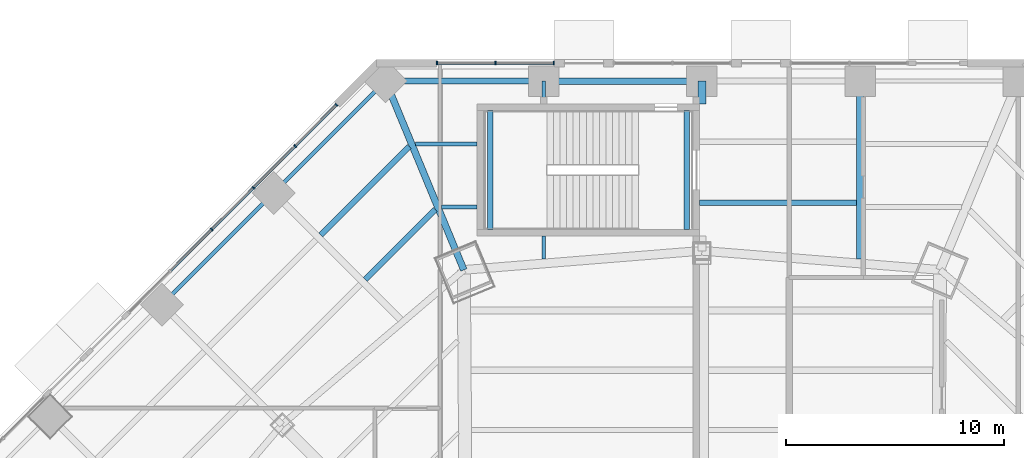
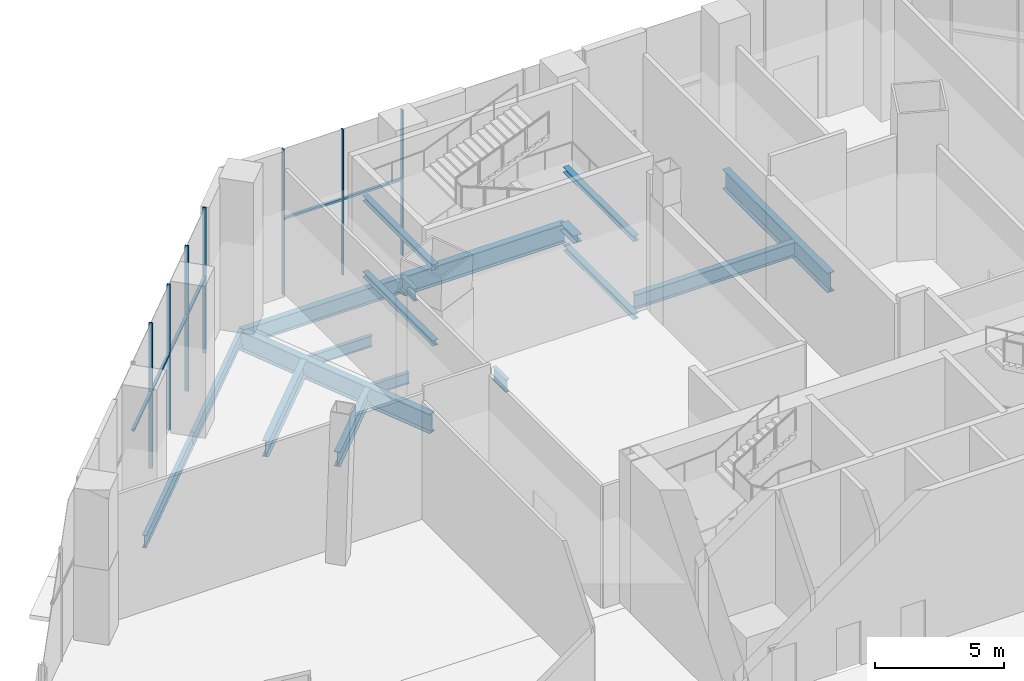
# One storey, part 14 of 35: 16 beams, 15 members, 2 elements without a shape of their own.
"""IFC4 building model written with IfcOpenShell, lengths in metres."""

from ifc_helpers import new_model, si_unit, direction, frame, origin, origin_2d, place, context, subcontext, project, spatial, rectangle, i_section, extrude, source, transform, mapped, material, material_profile, profile_set, type_object, type_shapes, element, aggregate, save


model = new_model("IFC4")

# Units and contexts
model_context = context("Model", 3, precision=1e-05, world=origin(), true_north=direction((0.0, 1.0)))
body_context = subcontext(model_context, "Body", "Model", "MODEL_VIEW")
ifc_project = project(units=[si_unit("LENGTHUNIT", "METRE"), si_unit("AREAUNIT", "SQUARE_METRE"), si_unit("VOLUMEUNIT", "CUBIC_METRE"), si_unit("PLANEANGLEUNIT", "RADIAN"), si_unit("MASSUNIT", "GRAM", prefix="KILO")], contexts=[model_context])

# Site, building, storey
site_placement = place(None, origin())
site = spatial("IfcSite", under=ifc_project, at=site_placement, CompositionType="ELEMENT")
building_placement = place(site_placement, origin())
building = spatial("IfcBuilding", under=site, at=building_placement, Name="Mashrafa Tower", CompositionType="ELEMENT")
storey_placement = place(building_placement, origin())
storey = spatial("IfcBuildingStorey", under=building, at=storey_placement, Name="L00", CompositionType="ELEMENT", Elevation=0.0)

# Beams
ifc_material_1 = material(Name="Steel ASTM A992", Category="steel")
ifc_material_profile_1 = material_profile(ifc_material_1, i_section(OverallWidth=0.1650390625, OverallDepth=0.52587890625, WebThickness=0.0087890625, FlangeThickness=0.011474609375, FilletRadius=0.0126953125, at=origin_2d()), Name="W21X44")
ifc_profile_set_1 = profile_set([ifc_material_profile_1], Name="Steel ASTM A992")
beam_type_1 = type_object("IfcBeamType", Name="Beam W21X44", PredefinedType="BEAM", material=ifc_profile_set_1)
beam_1_placement = place(storey_placement, frame((-13.13623046875, 32.114990234375, -0.56298828125), z_axis=(1.0, 0.0, 0.0), x_axis=(0.0, 1.0, 0.0)))
element("IfcBeam", 1, at=beam_1_placement, inside=storey, type_object=beam_type_1, Name="Floor beam L00 031", PredefinedType="BEAM", context=body_context, shape_type="SweptSolid", body=[
    extrude(i_section(OverallWidth=0.1650390625, OverallDepth=0.52587890625, WebThickness=0.0087890625, FlangeThickness=0.011474609375, FilletRadius=0.0126953125, at=origin_2d()), origin(), (0.0, 0.0, 1.0), 2.836181640625),
])
beam_2_placement = place(storey_placement, frame((-11.941162109375, 29.22998046875, -0.56298828125), z_axis=(1.0, 0.0, 0.0), x_axis=(0.0, 1.0, 0.0)))
element("IfcBeam", 2, at=beam_2_placement, inside=storey, type_object=beam_type_1, Name="Floor beam L00 035", PredefinedType="BEAM", context=body_context, shape_type="SweptSolid", body=[
    extrude(i_section(OverallWidth=0.1650390625, OverallDepth=0.52587890625, WebThickness=0.0087890625, FlangeThickness=0.011474609375, FilletRadius=0.0126953125, at=origin_2d()), origin(), (0.0, 0.0, 1.0), 1.64111328125),
])
ifc_material_2 = material(Name="Steel ASTM A992", Category="steel")
ifc_material_profile_2 = material_profile(ifc_material_2, i_section(OverallWidth=0.177978515625, OverallDepth=0.599365234375, WebThickness=0.010009765625, FlangeThickness=0.012939453125, FilletRadius=0.012939453125, at=origin_2d()), Name="W24X55")
ifc_profile_set_2 = profile_set([ifc_material_profile_2], Name="Steel ASTM A992")
beam_type_2 = type_object("IfcBeamType", Name="Beam W24X55", PredefinedType="BEAM", material=ifc_profile_set_2)
beam_3_placement = place(storey_placement, frame((-19.623046875, 29.87451171875, -0.599609375), z_axis=(-0.707106781187, -0.707106781187, 0.0), x_axis=(0.707106781187, -0.707106781187, 0.0)))
element("IfcBeam", 3, at=beam_3_placement, inside=storey, type_object=beam_type_2, Name="Podium edge beam L00 118", PredefinedType="BEAM", context=body_context, shape_type="SweptSolid", body=[
    extrude(i_section(OverallWidth=0.177978515625, OverallDepth=0.599365234375, WebThickness=0.010009765625, FlangeThickness=0.012939453125, FilletRadius=0.012939453125, at=origin_2d()), origin(), (0.0, 0.0, 1.0), 7.248779296875),
])
beam_4_placement = place(storey_placement, frame((-14.49755859375, 35.0, -0.599609375), z_axis=(-0.707106781187, -0.707106781187, 0.0), x_axis=(0.707106781187, -0.707106781187, 0.0)))
element("IfcBeam", 4, at=beam_4_placement, inside=storey, type_object=beam_type_2, Name="Podium edge beam L00 120", PredefinedType="BEAM", context=body_context, shape_type="SweptSolid", body=[
    extrude(i_section(OverallWidth=0.177978515625, OverallDepth=0.599365234375, WebThickness=0.010009765625, FlangeThickness=0.012939453125, FilletRadius=0.012939453125, at=origin_2d()), origin(), (0.0, 0.0, 1.0), 7.24853515625),
])
beam_5_placement = place(storey_placement, frame((-7.248779296875, 26.841064453125, -0.599609375), z_axis=(0.0, 1.0, 0.0), x_axis=(-1.0, 0.0, 0.0)))
element("IfcBeam", 5, at=beam_5_placement, inside=storey, type_object=beam_type_2, Name="Podium radial beam L00 156", PredefinedType="BEAM", context=body_context, shape_type="SweptSolid", body=[
    extrude(i_section(OverallWidth=0.177978515625, OverallDepth=0.599365234375, WebThickness=0.010009765625, FlangeThickness=0.012939453125, FilletRadius=0.012939453125, at=origin_2d()), origin(), (0.0, 0.0, 1.0), 1.058837890625),
])
ifc_material_3 = material(Name="Steel ASTM A992", Category="steel")
ifc_material_profile_3 = material_profile(ifc_material_3, i_section(OverallWidth=0.256591796875, OverallDepth=0.693359375, WebThickness=0.014404296875, FlangeThickness=0.023681640625, FilletRadius=0.01513671875, at=origin_2d()), Name="W27X114")
ifc_profile_set_3 = profile_set([ifc_material_profile_3], Name="Steel ASTM A992")
beam_type_3 = type_object("IfcBeamType", Name="Beam W27X114", PredefinedType="BEAM", material=ifc_profile_set_3)
beam_6_placement = place(storey_placement, frame((-15.434326171875, 25.903076171875, -0.646728515625), z_axis=(0.707106781187, 0.707106781187, 0.0), x_axis=(-0.707106781187, 0.707106781187, 0.0)))
element("IfcBeam", 6, at=beam_6_placement, inside=storey, type_object=beam_type_3, Name="Floor beam L00 017 part 2", PredefinedType="BEAM", context=body_context, shape_type="SweptSolid", body=[
    extrude(i_section(OverallWidth=0.256591796875, OverallDepth=0.693359375, WebThickness=0.014404296875, FlangeThickness=0.023681640625, FilletRadius=0.01513671875, at=origin_2d()), origin(), (0.0, 0.0, 1.0), 4.53857421875),
])
beam_7_placement = place(storey_placement, frame((-0.10009765625, 29.426513671875, -0.646728515625), z_axis=(1.0, 0.0, 0.0), x_axis=(0.0, 1.0, 0.0)))
element("IfcBeam", 7, at=beam_7_placement, inside=storey, type_object=beam_type_3, Name="Floor beam L00 046", PredefinedType="BEAM", context=body_context, shape_type="SweptSolid", body=[
    extrude(i_section(OverallWidth=0.256591796875, OverallDepth=0.693359375, WebThickness=0.014404296875, FlangeThickness=0.023681640625, FilletRadius=0.01513671875, at=origin_2d()), origin(), (0.0, 0.0, 1.0), 7.195068359375),
])
ifc_material_4 = material(Name="Steel ASTM A992", Category="steel")
ifc_material_profile_4 = material_profile(ifc_material_4, i_section(OverallWidth=0.2666015625, OverallDepth=0.75439453125, WebThickness=0.01318359375, FlangeThickness=0.01708984375, FilletRadius=0.0166015625, at=origin_2d()), Name="W30X99")
ifc_profile_set_4 = profile_set([ifc_material_profile_4], Name="Steel ASTM A992")
beam_type_4 = type_object("IfcBeamType", Name="Beam W30X99", PredefinedType="BEAM", material=ifc_profile_set_4)
beam_8_placement = place(storey_placement, frame((-17.474365234375, 27.943115234375, -0.67724609375), z_axis=(0.707106781187, 0.707106781187, 0.0), x_axis=(-0.707106781187, 0.707106781187, 0.0)))
element("IfcBeam", 8, at=beam_8_placement, inside=storey, type_object=beam_type_4, Name="Floor beam L00 013 part 2", PredefinedType="BEAM", context=body_context, shape_type="SweptSolid", body=[
    extrude(i_section(OverallWidth=0.2666015625, OverallDepth=0.75439453125, WebThickness=0.01318359375, FlangeThickness=0.01708984375, FilletRadius=0.0166015625, at=origin_2d()), origin(), (0.0, 0.0, 1.0), 5.7333984375),
])
beam_9_placement = place(storey_placement, frame((-7.248779296875, 35.0, -0.67724609375), z_axis=(-1.0, 0.0, 0.0), x_axis=(0.0, -1.0, 0.0)))
element("IfcBeam", 9, at=beam_9_placement, inside=storey, type_object=beam_type_4, Name="Podium edge beam L00 122", PredefinedType="BEAM", context=body_context, shape_type="SweptSolid", body=[
    extrude(i_section(OverallWidth=0.2666015625, OverallDepth=0.75439453125, WebThickness=0.01318359375, FlangeThickness=0.01708984375, FilletRadius=0.0166015625, at=origin_2d()), origin(), (0.0, 0.0, 1.0), 7.248779296875),
])
ifc_material_5 = material(Name="Steel ASTM A992", Category="steel")
ifc_material_profile_5 = material_profile(ifc_material_5, i_section(OverallWidth=0.3046875, OverallDepth=0.911865234375, WebThickness=0.015869140625, FlangeThickness=0.02392578125, FilletRadius=0.01904296875, at=origin_2d()), Name="W36X150")
ifc_profile_set_5 = profile_set([ifc_material_profile_5], Name="Steel ASTM A992")
beam_type_5 = type_object("IfcBeamType", Name="Beam W36X150", PredefinedType="BEAM", material=ifc_profile_set_5)
beam_10_placement = place(storey_placement, frame((0.0, 35.0, -0.755859375), z_axis=(-1.0, 0.0, 0.0), x_axis=(0.0, -1.0, 0.0)))
element("IfcBeam", 10, at=beam_10_placement, inside=storey, type_object=beam_type_5, Name="Podium edge beam L00 124", PredefinedType="BEAM", context=body_context, shape_type="SweptSolid", body=[
    extrude(i_section(OverallWidth=0.3046875, OverallDepth=0.911865234375, WebThickness=0.015869140625, FlangeThickness=0.02392578125, FilletRadius=0.01904296875, at=origin_2d()), origin(), (0.0, 0.0, 1.0), 7.248779296875),
])
ifc_material_6 = material(Name="Steel ASTM A992", Category="steel")
ifc_material_profile_6 = material_profile(ifc_material_6, i_section(OverallWidth=0.307373046875, OverallDepth=0.927001953125, WebThickness=0.01953125, FlangeThickness=0.031982421875, FilletRadius=0.01904296875, at=origin_2d()), Name="W36X194")
ifc_profile_set_6 = profile_set([ifc_material_profile_6], Name="Steel ASTM A992")
beam_type_6 = type_object("IfcBeamType", Name="Beam W36X194", PredefinedType="BEAM", material=ifc_profile_set_6)
beam_11_placement = place(storey_placement, frame((-10.91259765625, 26.344970703125, -0.763671875), z_axis=(-0.382677092737, 0.923882158446, 0.0), x_axis=(-0.923882158446, -0.382677092737, 0.0)))
element("IfcBeam", 11, at=beam_11_placement, inside=storey, type_object=beam_type_6, Name="Podium radial beam L00 154", PredefinedType="BEAM", context=body_context, shape_type="SweptSolid", body=[
    extrude(i_section(OverallWidth=0.307373046875, OverallDepth=0.927001953125, WebThickness=0.01953125, FlangeThickness=0.031982421875, FilletRadius=0.01904296875, at=origin_2d()), origin(), (0.0, 0.0, 1.0), 9.3681640625),
])
beam_12_placement = place(storey_placement, frame((7.248779296875, 26.841064453125, -0.763671875), z_axis=(0.0, 1.0, 0.0), x_axis=(-1.0, 0.0, 0.0)))
element("IfcBeam", 12, at=beam_12_placement, inside=storey, type_object=beam_type_6, Name="Podium radial beam L00 164", PredefinedType="BEAM", context=body_context, shape_type="SweptSolid", body=[
    extrude(i_section(OverallWidth=0.307373046875, OverallDepth=0.927001953125, WebThickness=0.01953125, FlangeThickness=0.031982421875, FilletRadius=0.01904296875, at=origin_2d()), origin(), (0.0, 0.0, 1.0), 8.158935546875),
])
ifc_material_7 = material(Name="Steel ASTM A992", Category="steel")
ifc_material_profile_7 = material_profile(ifc_material_7, i_section(OverallWidth=0.25390625, OverallDepth=0.25390625, WebThickness=0.008544921875, FlangeThickness=0.01416015625, FilletRadius=0.010009765625, at=origin_2d()), Name="W10X49")
ifc_profile_set_7 = profile_set([ifc_material_profile_7], Name="Steel ASTM A992")
beam_type_7 = type_object("IfcBeamType", Name="Hoistway beam W10X49", PredefinedType="BEAM", material=ifc_profile_set_7)
for number, where, z_axis, x_axis, name in (
    (13, (-0.699951171875, 28.199951171875, -0.427001953125), (0.0, 1.0, 0.0), (-1.0, 0.0, 0.0), "Stair P2 landing beam L00"),
    (14, (-9.699951171875, 28.199951171875, 1.472900390625), (0.0, 1.0, 0.0), (-1.0, 0.0, 0.0), "Stair P2 landing beam L00"),
    (15, (-0.699951171875, 28.199951171875, 3.27294921875), (0.0, 1.0, 0.0), (-1.0, 0.0, 0.0), "Stair P2 landing beam L00"),
    (16, (-9.699951171875, 28.199951171875, 5.072998046875), (0.0, 1.0, 0.0), (-1.0, 0.0, 0.0), "Stair P2 landing beam L00"),
):
    element("IfcBeam", number, at=place(storey_placement, frame(where, z_axis=z_axis, x_axis=x_axis)), inside=storey, type_object=beam_type_7, Name=name, PredefinedType="BEAM", context=body_context, shape_type="SweptSolid", body=[
        extrude(i_section(OverallWidth=0.25390625, OverallDepth=0.25390625, WebThickness=0.008544921875, FlangeThickness=0.01416015625, FilletRadius=0.010009765625, at=origin_2d()), origin(), (0.0, 0.0, 1.0), 5.449951171875),
    ])

# Members
ifc_material_8 = material(Name="Steel ASTM A992", Category="steel")
ifc_material_profile_8 = material_profile(ifc_material_8, i_section(OverallWidth=0.177978515625, OverallDepth=0.599365234375, WebThickness=0.010009765625, FlangeThickness=0.012939453125, FilletRadius=0.012939453125, at=origin_2d()), Name="W24X55")
ifc_profile_set_8 = profile_set([ifc_material_profile_8], Name="Steel ASTM A992")
member_type_1 = type_object("IfcMemberType", Name="Tie strut W24X55", PredefinedType="STRUT", material=ifc_profile_set_8)
shared_shape_1 = source(origin(), body_context, "Body", "SweptSolid", [
    extrude(i_section(OverallWidth=0.177978515625, OverallDepth=0.599365234375, WebThickness=0.010009765625, FlangeThickness=0.012939453125, FilletRadius=0.012939453125, at=origin_2d()), origin(), (0.0, 0.0, 1.0), 1.050048828125),
])
type_shapes(member_type_1, [shared_shape_1])
member_1_placement = place(storey_placement, frame((-7.248779296875, 33.949951171875, -0.599609375), z_axis=(0.0, 1.0, 0.0), x_axis=(-1.0, 0.0, 0.0)))
element("IfcMember", 17, at=member_1_placement, inside=storey, type_object=member_type_1, Name="Tie strut L00 157", PredefinedType="STRUT", context=body_context, shape_type="MappedRepresentation", body=[
    mapped(shared_shape_1, transform((0.0, 0.0, 0.0))),
])
ifc_material_9 = material(Name="Steel ASTM A992", Category="steel")
ifc_material_profile_9 = material_profile(ifc_material_9, i_section(OverallWidth=0.368408203125, OverallDepth=0.355712890625, WebThickness=0.01123046875, FlangeThickness=0.01806640625, FilletRadius=0.01513671875, at=origin_2d()), Name="W14X90")
ifc_profile_set_9 = profile_set([ifc_material_profile_9], Name="Steel ASTM A992")
member_type_2 = type_object("IfcMemberType", Name="Tie strut W14X90", PredefinedType="STRUT", material=ifc_profile_set_9)
shared_shape_2 = source(origin(), body_context, "Body", "SweptSolid", [
    extrude(i_section(OverallWidth=0.368408203125, OverallDepth=0.355712890625, WebThickness=0.01123046875, FlangeThickness=0.01806640625, FilletRadius=0.01513671875, at=origin_2d()), origin(), (0.0, 0.0, 1.0), 1.050048828125),
])
type_shapes(member_type_2, [shared_shape_2])
member_2_placement = place(storey_placement, frame((0.0, 33.949951171875, -0.477783203125), z_axis=(0.0, 1.0, 0.0), x_axis=(-1.0, 0.0, 0.0)))
element("IfcMember", 18, at=member_2_placement, inside=storey, type_object=member_type_2, Name="Tie strut L00 161", PredefinedType="STRUT", context=body_context, shape_type="MappedRepresentation", body=[
    mapped(shared_shape_2, transform((0.0, 0.0, 0.0))),
])

# Curtain wall, members
ifc_material_10 = material(Name="Unitised aluminium curtain wall", Category="aluminium")
curtain_wall_type = type_object("IfcCurtainWallType", Name="Podium storefront CW-P 150 deep", PredefinedType="NOTDEFINED", material=ifc_material_10)
curtain_wall_1_placement = place(storey_placement, origin())
curtain_wall_1 = element("IfcCurtainWall", 19, at=curtain_wall_1_placement, inside=storey, type_object=curtain_wall_type, Name="Podium storefront L00 north part 3", PredefinedType="NOTDEFINED")
ifc_material_11 = material(Name="Extruded aluminium mullion", Category="aluminium")
ifc_material_profile_10 = material_profile(ifc_material_11, rectangle(XDim=0.14990234375, YDim=0.06494140625, at=origin_2d()), Name="Mullion 65x150")
ifc_profile_set_10 = profile_set([ifc_material_profile_10], Name="Extruded aluminium mullion")
member_type_3 = type_object("IfcMemberType", Name="Mullion CW-P 65 x 150", PredefinedType="MULLION", material=ifc_profile_set_10)
shared_shape_3 = source(origin(), body_context, "Body", "SweptSolid", [
    extrude(rectangle(XDim=0.14990234375, YDim=0.06494140625, at=origin_2d()), origin(), (0.0, 0.0, 1.0), 6.89990234375),
])
type_shapes(member_type_3, [shared_shape_3])
member_3_placement = place(storey_placement, frame((-6.791748046875, 35.824951171875, 0.0), z_axis=(0.0, 0.0, 1.0), x_axis=(0.0, -1.0, 0.0)))
member_3 = element("IfcMember", 20, at=member_3_placement, type_object=member_type_3, Name="CW-P mullion 1", PredefinedType="MULLION", context=body_context, shape_type="MappedRepresentation", body=[
    mapped(shared_shape_3, transform((0.0, 0.0, 0.0))),
])
member_4_placement = place(storey_placement, frame((-9.462890625, 35.824951171875, 0.0), z_axis=(0.0, 0.0, 1.0), x_axis=(0.0, -1.0, 0.0)))
member_4 = element("IfcMember", 21, at=member_4_placement, type_object=member_type_3, Name="CW-P mullion 2", PredefinedType="MULLION", context=body_context, shape_type="MappedRepresentation", body=[
    mapped(shared_shape_3, transform((0.0, 0.0, 0.0))),
])
member_5_placement = place(storey_placement, frame((-12.134033203125, 35.824951171875, 0.0), z_axis=(0.0, 0.0, 1.0), x_axis=(0.0, -1.0, 0.0)))
member_5 = element("IfcMember", 22, at=member_5_placement, type_object=member_type_3, Name="CW-P mullion 3", PredefinedType="MULLION", context=body_context, shape_type="MappedRepresentation", body=[
    mapped(shared_shape_3, transform((0.0, 0.0, 0.0))),
])

curtain_wall_2_placement = place(storey_placement, origin())
curtain_wall_2 = element("IfcCurtainWall", 23, at=curtain_wall_2_placement, inside=storey, type_object=curtain_wall_type, Name="Podium storefront L00 north-west part 1", PredefinedType="NOTDEFINED")
member_6_placement = place(storey_placement, frame((-16.751953125, 33.912109375, 0.0), z_axis=(0.0, 0.0, 1.0), x_axis=(0.707106781187, -0.707106781187, 0.0)))
member_6 = element("IfcMember", 24, at=member_6_placement, type_object=member_type_3, Name="CW-P mullion 1", PredefinedType="MULLION", context=body_context, shape_type="MappedRepresentation", body=[
    mapped(shared_shape_3, transform((0.0, 0.0, 0.0))),
])
member_7_placement = place(storey_placement, frame((-18.640869140625, 32.0234375, 0.0), z_axis=(0.0, 0.0, 1.0), x_axis=(0.707106781187, -0.707106781187, 0.0)))
member_7 = element("IfcMember", 25, at=member_7_placement, type_object=member_type_3, Name="CW-P mullion 2", PredefinedType="MULLION", context=body_context, shape_type="MappedRepresentation", body=[
    mapped(shared_shape_3, transform((0.0, 0.0, 0.0))),
])
member_8_placement = place(storey_placement, frame((-20.552734375, 30.111572265625, 0.0), z_axis=(0.0, 0.0, 1.0), x_axis=(0.707106781187, -0.707106781187, 0.0)))
member_8 = element("IfcMember", 26, at=member_8_placement, type_object=member_type_3, Name="CW-P mullion 3", PredefinedType="MULLION", context=body_context, shape_type="MappedRepresentation", body=[
    mapped(shared_shape_3, transform((0.0, 0.0, 0.0))),
])
member_9_placement = place(storey_placement, frame((-22.46435546875, 28.19970703125, 0.0), z_axis=(0.0, 0.0, 1.0), x_axis=(0.707106781187, -0.707106781187, 0.0)))
member_9 = element("IfcMember", 27, at=member_9_placement, type_object=member_type_3, Name="CW-P mullion 4", PredefinedType="MULLION", context=body_context, shape_type="MappedRepresentation", body=[
    mapped(shared_shape_3, transform((0.0, 0.0, 0.0))),
])

# Member
ifc_material_12 = material(Name="Extruded aluminium transom", Category="aluminium")
ifc_material_profile_11 = material_profile(ifc_material_12, rectangle(XDim=0.1201171875, YDim=0.10009765625, at=origin_2d()), Name="Transom 100x120")
ifc_profile_set_11 = profile_set([ifc_material_profile_11], Name="Extruded aluminium transom")
member_type_4 = type_object("IfcMemberType", Name="Transom CW-P 100 x 120", PredefinedType="MULLION", material=ifc_profile_set_11)
shared_shape_4 = source(origin(), body_context, "Body", "SweptSolid", [
    extrude(rectangle(XDim=0.1201171875, YDim=0.10009765625, at=origin_2d()), origin(), (0.0, 0.0, 1.0), 2.606201171875),
])
member_10_placement = place(storey_placement, frame((-6.82421875, 35.824951171875, 3.60009765625), z_axis=(-1.0, 0.0, 0.0), x_axis=(0.0, -1.0, 0.0)))
member_10 = element("IfcMember", 28, at=member_10_placement, type_object=member_type_4, Name="CW-P transom 1", PredefinedType="MULLION", context=body_context, shape_type="MappedRepresentation", body=[
    mapped(shared_shape_4, transform((0.0, 0.0, 0.0))),
])

member_11_placement = place(storey_placement, frame((-9.495361328125, 35.824951171875, 3.60009765625), z_axis=(-1.0, 0.0, 0.0), x_axis=(0.0, -1.0, 0.0)))
member_11 = element("IfcMember", 29, at=member_11_placement, type_object=member_type_4, Name="CW-P transom 2", PredefinedType="MULLION", context=body_context, shape_type="MappedRepresentation", body=[
    mapped(shared_shape_4, transform((0.0, 0.0, 0.0))),
])

aggregate(curtain_wall_1, [member_3, member_4, member_5, member_10, member_11])

member_12_placement = place(storey_placement, frame((-16.77490234375, 33.88916015625, 3.60009765625), z_axis=(-0.707153617204, -0.707059942066, 0.0), x_axis=(0.707059942066, -0.707153617204, 0.0)))
member_12 = element("IfcMember", 30, at=member_12_placement, type_object=member_type_4, Name="CW-P transom 1", PredefinedType="MULLION", context=body_context, shape_type="MappedRepresentation", body=[
    mapped(shared_shape_4, transform((0.0, 0.0, 0.0))),
])

shared_shape_5 = source(origin(), body_context, "Body", "SweptSolid", [
    extrude(rectangle(XDim=0.1201171875, YDim=0.10009765625, at=origin_2d()), origin(), (0.0, 0.0, 1.0), 2.638671875),
])
type_shapes(member_type_4, [shared_shape_4, shared_shape_5])
member_13_placement = place(storey_placement, frame((-18.663818359375, 32.00048828125, 3.60009765625), z_axis=(-0.707060518189, -0.707153041157, 0.0), x_axis=(0.707153041157, -0.707060518189, 0.0)))
member_13 = element("IfcMember", 31, at=member_13_placement, type_object=member_type_4, Name="CW-P transom 2", PredefinedType="MULLION", context=body_context, shape_type="MappedRepresentation", body=[
    mapped(shared_shape_5, transform((0.0, 0.0, 0.0))),
])

member_14_placement = place(storey_placement, frame((-20.57568359375, 30.088623046875, 3.60009765625), z_axis=(-0.707060518189, -0.707153041157, 0.0), x_axis=(0.707153041157, -0.707060518189, 0.0)))
member_14 = element("IfcMember", 32, at=member_14_placement, type_object=member_type_4, Name="CW-P transom 3", PredefinedType="MULLION", context=body_context, shape_type="MappedRepresentation", body=[
    mapped(shared_shape_5, transform((0.0, 0.0, 0.0))),
])

member_15_placement = place(storey_placement, frame((-22.4873046875, 28.1767578125, 3.60009765625), z_axis=(-0.707153041157, -0.707060518189, 0.0), x_axis=(0.707060518189, -0.707153041157, 0.0)))
member_15 = element("IfcMember", 33, at=member_15_placement, type_object=member_type_4, Name="CW-P transom 4", PredefinedType="MULLION", context=body_context, shape_type="MappedRepresentation", body=[
    mapped(shared_shape_5, transform((0.0, 0.0, 0.0))),
])

aggregate(curtain_wall_2, [member_6, member_7, member_8, member_9, member_12, member_13, member_14, member_15])

save(model, "model.ifc")
